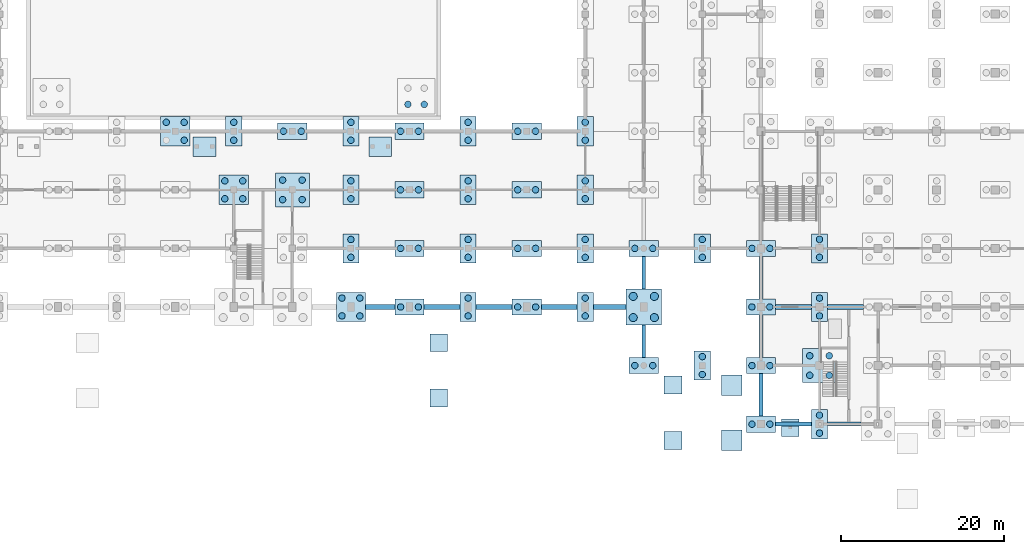
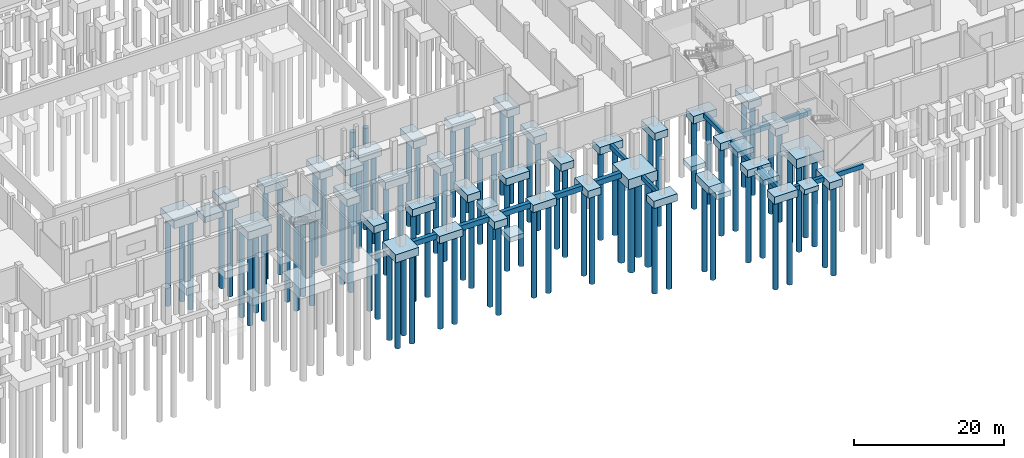
# One storey, part 2 of 35: 89 piles, 61 footings.
"""IFC4 building model written with IfcOpenShell, lengths in metres."""

from ifc_helpers import new_model, si_unit, direction, frame, origin, origin_2d, place, context, subcontext, project, spatial, polyline, rectangle, circle, outline, extrude, material, material_profile, profile_set, type_object, element, save


model = new_model("IFC4")

# Units and contexts
model_context = context("Model", 3, precision=1e-05, world=origin(), true_north=direction((0.0, 1.0)))
body_context = subcontext(model_context, "Body", "Model", "MODEL_VIEW")
ifc_project = project(units=[si_unit("LENGTHUNIT", "METRE"), si_unit("AREAUNIT", "SQUARE_METRE"), si_unit("VOLUMEUNIT", "CUBIC_METRE"), si_unit("PLANEANGLEUNIT", "RADIAN"), si_unit("MASSUNIT", "GRAM", prefix="KILO")], contexts=[model_context])

# Site, building, storey
site_placement = place(None, origin())
site = spatial("IfcSite", under=ifc_project, at=site_placement, CompositionType="ELEMENT")
building_placement = place(site_placement, origin())
building = spatial("IfcBuilding", under=site, at=building_placement, Name="Vesperath Aquatics Centre", CompositionType="ELEMENT")
storey_placement = place(building_placement, frame((0.0, 0.0, -5.39990234375)))
storey = spatial("IfcBuildingStorey", under=building, at=storey_placement, Name="B1", CompositionType="ELEMENT", Elevation=-5.39990234375)

# Footings
ifc_material_1 = material(Name="Concrete C40", Category="concrete")
footing_type_1 = type_object("IfcFootingType", Name="FT-GB01", PredefinedType="FOOTING_BEAM", material=ifc_material_1)
footing_1_placement = place(storey_placement, frame((0.0, 0.0, -1.150146484375)))
element("IfcFooting", 1, at=footing_1_placement, inside=storey, type_object=footing_type_1, Name="Foundation Ground Beam GB01 15 B-C", PredefinedType="FOOTING_BEAM", context=body_context, shape_type="SweptSolid", body=[
    extrude(outline(polyline([(100.574951171875, 8.199951171875), (101.02490234375, 8.199951171875), (101.02490234375, 12.199951171875), (100.574951171875, 12.199951171875), (100.574951171875, 8.199951171875)])), origin(), (0.0, 0.0, 1.0), 0.699951171875),
])
footing_2_placement = place(storey_placement, frame((0.0, 0.0, -1.150146484375)))
element("IfcFooting", 2, at=footing_2_placement, inside=storey, type_object=footing_type_1, Name="Foundation Ground Beam GB01 15 C-D", PredefinedType="FOOTING_BEAM", context=body_context, shape_type="SweptSolid", body=[
    extrude(outline(polyline([(100.574951171875, 16.60009765625), (101.02490234375, 16.60009765625), (101.02490234375, 20.60009765625), (100.574951171875, 20.60009765625), (100.574951171875, 16.60009765625)])), origin(), (0.0, 0.0, 1.0), 0.699951171875),
])
footing_type_2 = type_object("IfcFootingType", Name="FT-GB02", PredefinedType="FOOTING_BEAM", material=ifc_material_1)
footing_3_placement = place(storey_placement, frame((0.0, 0.0, -1.2001953125)))
element("IfcFooting", 3, at=footing_3_placement, inside=storey, type_object=footing_type_2, Name="Foundation Ground Beam GB02 A 17-18", PredefinedType="FOOTING_BEAM", context=body_context, shape_type="SweptSolid", body=[
    extrude(outline(polyline([(117.0, -0.25), (121.39990234375, -0.25), (121.39990234375, 0.25), (117.0, 0.25), (117.0, -0.25)])), origin(), (0.0, 0.0, 1.0), 0.75),
])
footing_4_placement = place(storey_placement, frame((0.0, 0.0, -1.2001953125)))
element("IfcFooting", 4, at=footing_4_placement, inside=storey, type_object=footing_type_2, Name="Foundation Ground Beam GB02 17 A-B", PredefinedType="FOOTING_BEAM", context=body_context, shape_type="SweptSolid", body=[
    extrude(outline(polyline([(114.949951171875, 1.0), (115.449951171875, 1.0), (115.449951171875, 6.199951171875), (114.949951171875, 6.199951171875), (114.949951171875, 1.0)])), origin(), (0.0, 0.0, 1.0), 0.75),
])
footing_5_placement = place(storey_placement, frame((0.0, 0.0, -1.2001953125)))
element("IfcFooting", 5, at=footing_5_placement, inside=storey, type_object=footing_type_2, Name="Foundation Ground Beam GB02 17 B-C", PredefinedType="FOOTING_BEAM", context=body_context, shape_type="SweptSolid", body=[
    extrude(outline(polyline([(114.949951171875, 8.199951171875), (115.449951171875, 8.199951171875), (115.449951171875, 13.39990234375), (114.949951171875, 13.39990234375), (114.949951171875, 8.199951171875)])), origin(), (0.0, 0.0, 1.0), 0.75),
])
footing_6_placement = place(storey_placement, frame((0.0, 0.0, -1.2001953125)))
element("IfcFooting", 6, at=footing_6_placement, inside=storey, type_object=footing_type_2, Name="Foundation Ground Beam GB02 17 C-D", PredefinedType="FOOTING_BEAM", context=body_context, shape_type="SweptSolid", body=[
    extrude(outline(polyline([(114.949951171875, 15.39990234375), (115.449951171875, 15.39990234375), (115.449951171875, 20.60009765625), (114.949951171875, 20.60009765625), (114.949951171875, 15.39990234375)])), origin(), (0.0, 0.0, 1.0), 0.75),
])
footing_7_placement = place(storey_placement, frame((0.0, 0.0, -1.2001953125)))
element("IfcFooting", 7, at=footing_7_placement, inside=storey, type_object=footing_type_2, Name="Foundation Ground Beam GB02 A 18-19", PredefinedType="FOOTING_BEAM", context=body_context, shape_type="SweptSolid", body=[
    extrude(outline(polyline([(123.39990234375, -0.25), (127.5, -0.25), (127.5, 0.25), (123.39990234375, 0.25), (123.39990234375, -0.25)])), origin(), (0.0, 0.0, 1.0), 0.75),
])
footing_type_3 = type_object("IfcFootingType", Name="FT-GB03", PredefinedType="FOOTING_BEAM", material=ifc_material_1)
footing_8_placement = place(storey_placement, frame((0.0, 0.0, -1.300048828125)))
element("IfcFooting", 8, at=footing_8_placement, inside=storey, type_object=footing_type_3, Name="Foundation Ground Beam GB03 C 10-11", PredefinedType="FOOTING_BEAM", context=body_context, shape_type="SweptSolid", body=[
    extrude(outline(polyline([(66.60009765625, 14.10009765625), (70.199951171875, 14.10009765625), (70.199951171875, 14.699951171875), (66.60009765625, 14.699951171875), (66.60009765625, 14.10009765625)])), origin(), (0.0, 0.0, 1.0), 0.849853515625),
])
footing_9_placement = place(storey_placement, frame((0.0, 0.0, -1.300048828125)))
element("IfcFooting", 9, at=footing_9_placement, inside=storey, type_object=footing_type_3, Name="Foundation Ground Beam GB03 C 11-12", PredefinedType="FOOTING_BEAM", context=body_context, shape_type="SweptSolid", body=[
    extrude(outline(polyline([(73.800048828125, 14.10009765625), (78.199951171875, 14.10009765625), (78.199951171875, 14.699951171875), (73.800048828125, 14.699951171875), (73.800048828125, 14.10009765625)])), origin(), (0.0, 0.0, 1.0), 0.849853515625),
])
footing_10_placement = place(storey_placement, frame((0.0, 0.0, -1.300048828125)))
element("IfcFooting", 10, at=footing_10_placement, inside=storey, type_object=footing_type_3, Name="Foundation Ground Beam GB03 C 12-13", PredefinedType="FOOTING_BEAM", context=body_context, shape_type="SweptSolid", body=[
    extrude(outline(polyline([(80.199951171875, 14.10009765625), (84.60009765625, 14.10009765625), (84.60009765625, 14.699951171875), (80.199951171875, 14.699951171875), (80.199951171875, 14.10009765625)])), origin(), (0.0, 0.0, 1.0), 0.849853515625),
])
footing_11_placement = place(storey_placement, frame((0.0, 0.0, -1.300048828125)))
element("IfcFooting", 11, at=footing_11_placement, inside=storey, type_object=footing_type_3, Name="Foundation Ground Beam GB03 C 13-14", PredefinedType="FOOTING_BEAM", context=body_context, shape_type="SweptSolid", body=[
    extrude(outline(polyline([(88.199951171875, 14.10009765625), (92.60009765625, 14.10009765625), (92.60009765625, 14.699951171875), (88.199951171875, 14.699951171875), (88.199951171875, 14.10009765625)])), origin(), (0.0, 0.0, 1.0), 0.849853515625),
])
footing_12_placement = place(storey_placement, frame((0.0, 0.0, -1.300048828125)))
element("IfcFooting", 12, at=footing_12_placement, inside=storey, type_object=footing_type_3, Name="Foundation Ground Beam GB03 C 14-15", PredefinedType="FOOTING_BEAM", context=body_context, shape_type="SweptSolid", body=[
    extrude(outline(polyline([(94.60009765625, 14.10009765625), (98.60009765625, 14.10009765625), (98.60009765625, 14.699951171875), (94.60009765625, 14.699951171875), (94.60009765625, 14.10009765625)])), origin(), (0.0, 0.0, 1.0), 0.849853515625),
])
footing_13_placement = place(storey_placement, frame((0.0, 0.0, -1.300048828125)))
element("IfcFooting", 13, at=footing_13_placement, inside=storey, type_object=footing_type_3, Name="Foundation Ground Beam GB03 C 17-18", PredefinedType="FOOTING_BEAM", context=body_context, shape_type="SweptSolid", body=[
    extrude(outline(polyline([(117.0, 14.10009765625), (121.39990234375, 14.10009765625), (121.39990234375, 14.699951171875), (117.0, 14.699951171875), (117.0, 14.10009765625)])), origin(), (0.0, 0.0, 1.0), 0.849853515625),
])
footing_14_placement = place(storey_placement, frame((0.0, 0.0, -1.300048828125)))
element("IfcFooting", 14, at=footing_14_placement, inside=storey, type_object=footing_type_3, Name="Foundation Ground Beam GB03 C 18-19", PredefinedType="FOOTING_BEAM", context=body_context, shape_type="SweptSolid", body=[
    extrude(outline(polyline([(123.39990234375, 14.10009765625), (127.800048828125, 14.10009765625), (127.800048828125, 14.699951171875), (123.39990234375, 14.699951171875), (123.39990234375, 14.10009765625)])), origin(), (0.0, 0.0, 1.0), 0.849853515625),
])
footing_type_4 = type_object("IfcFootingType", Name="FT-PC01", PredefinedType="PILE_CAP", material=ifc_material_1)
for number, where, z_axis, x_axis, name in (
    (15, (57.60009765625, 36.0, -1.64990234375), (0.0, 0.0, 1.0), (1.0, 0.0, 0.0), "Pile Cap PC01 at 9/F"),
    (16, (72.0, 14.39990234375, -1.64990234375), (0.0, 0.0, 1.0), (1.0, 0.0, 0.0), "Pile Cap PC01 at 11/C"),
    (17, (72.0, 21.60009765625, -1.64990234375), (0.0, 0.0, 1.0), (1.0, 0.0, 0.0), "Pile Cap PC01 at 11/D"),
    (18, (72.0, 28.800048828125, -1.64990234375), (0.0, 0.0, 1.0), (1.0, 0.0, 0.0), "Pile Cap PC01 at 11/E"),
    (19, (72.0, 36.0, -1.64990234375), (0.0, 0.0, 1.0), (1.0, 0.0, 0.0), "Pile Cap PC01 at 11/F"),
    (20, (86.39990234375, 14.39990234375, -1.64990234375), (0.0, 0.0, 1.0), (1.0, 0.0, 0.0), "Pile Cap PC01 at 13/C"),
    (21, (86.39990234375, 21.60009765625, -1.64990234375), (0.0, 0.0, 1.0), (1.0, 0.0, 0.0), "Pile Cap PC01 at 13/D"),
    (22, (86.39990234375, 28.800048828125, -1.64990234375), (0.0, 0.0, 1.0), (1.0, 0.0, 0.0), "Pile Cap PC01 at 13/E"),
    (23, (86.39990234375, 36.0, -1.64990234375), (0.0, 0.0, 1.0), (1.0, 0.0, 0.0), "Pile Cap PC01 at 13/F"),
    (24, (100.800048828125, 7.199951171875, -1.64990234375), (0.0, 0.0, 1.0), (1.0, 0.0, 0.0), "Pile Cap PC01 at 15/B"),
    (25, (100.800048828125, 21.60009765625, -1.64990234375), (0.0, 0.0, 1.0), (1.0, 0.0, 0.0), "Pile Cap PC01 at 15/D"),
    (26, (115.199951171875, 0.0, -1.64990234375), (0.0, 0.0, 1.0), (1.0, 0.0, 0.0), "Pile Cap PC01 at 17/A"),
    (27, (115.199951171875, 7.199951171875, -1.64990234375), (0.0, 0.0, 1.0), (1.0, 0.0, 0.0), "Pile Cap PC01 at 17/B"),
    (28, (115.199951171875, 14.39990234375, -1.64990234375), (0.0, 0.0, 1.0), (1.0, 0.0, 0.0), "Pile Cap PC01 at 17/C"),
    (29, (115.199951171875, 21.60009765625, -1.64990234375), (0.0, 0.0, 1.0), (1.0, 0.0, 0.0), "Pile Cap PC01 at 17/D"),
):
    element("IfcFooting", number, at=place(storey_placement, frame(where, z_axis=z_axis, x_axis=x_axis)), inside=storey, type_object=footing_type_4, Name=name, PredefinedType="PILE_CAP", context=body_context, shape_type="SweptSolid", body=[
        extrude(rectangle(XDim=3.60009765625, YDim=2.0, at=origin_2d()), origin(), (0.0, 0.0, 1.0), 1.199951171875),
    ])
footing_type_5 = type_object("IfcFootingType", Name="FT-PC02", PredefinedType="PILE_CAP", material=ifc_material_1)
for number, where, z_axis, x_axis, name in (
    (30, (50.39990234375, 36.0, -1.64990234375), (0.0, 0.0, 1.0), (1.0, 0.0, 0.0), "Pile Cap PC02 at 8/F"),
    (31, (64.800048828125, 21.60009765625, -1.64990234375), (0.0, 0.0, 1.0), (1.0, 0.0, 0.0), "Pile Cap PC02 at 10/D"),
    (32, (64.800048828125, 28.800048828125, -1.64990234375), (0.0, 0.0, 1.0), (1.0, 0.0, 0.0), "Pile Cap PC02 at 10/E"),
    (33, (64.800048828125, 36.0, -1.64990234375), (0.0, 0.0, 1.0), (1.0, 0.0, 0.0), "Pile Cap PC02 at 10/F"),
    (34, (79.199951171875, 14.39990234375, -1.64990234375), (0.0, 0.0, 1.0), (1.0, 0.0, 0.0), "Pile Cap PC02 at 12/C"),
    (35, (79.199951171875, 21.60009765625, -1.64990234375), (0.0, 0.0, 1.0), (1.0, 0.0, 0.0), "Pile Cap PC02 at 12/D"),
    (36, (79.199951171875, 28.800048828125, -1.64990234375), (0.0, 0.0, 1.0), (1.0, 0.0, 0.0), "Pile Cap PC02 at 12/E"),
    (37, (79.199951171875, 36.0, -1.64990234375), (0.0, 0.0, 1.0), (1.0, 0.0, 0.0), "Pile Cap PC02 at 12/F"),
    (38, (93.60009765625, 14.39990234375, -1.64990234375), (0.0, 0.0, 1.0), (1.0, 0.0, 0.0), "Pile Cap PC02 at 14/C"),
    (39, (93.60009765625, 21.60009765625, -1.64990234375), (0.0, 0.0, 1.0), (1.0, 0.0, 0.0), "Pile Cap PC02 at 14/D"),
    (40, (93.60009765625, 28.800048828125, -1.64990234375), (0.0, 0.0, 1.0), (1.0, 0.0, 0.0), "Pile Cap PC02 at 14/E"),
    (41, (93.60009765625, 36.0, -1.64990234375), (0.0, 0.0, 1.0), (1.0, 0.0, 0.0), "Pile Cap PC02 at 14/F"),
    (42, (108.0, 7.199951171875, -1.64990234375), (0.0, 0.0, 1.0), (1.0, 0.0, 0.0), "Pile Cap PC02 at 16/B"),
    (43, (108.0, 21.60009765625, -1.64990234375), (0.0, 0.0, 1.0), (1.0, 0.0, 0.0), "Pile Cap PC02 at 16/D"),
    (44, (122.39990234375, 0.0, -1.64990234375), (0.0, 0.0, 1.0), (1.0, 0.0, 0.0), "Pile Cap PC02 at 18/A"),
    (45, (122.39990234375, 14.39990234375, -1.64990234375), (0.0, 0.0, 1.0), (1.0, 0.0, 0.0), "Pile Cap PC02 at 18/C"),
    (46, (122.39990234375, 21.60009765625, -1.64990234375), (0.0, 0.0, 1.0), (1.0, 0.0, 0.0), "Pile Cap PC02 at 18/D"),
):
    element("IfcFooting", number, at=place(storey_placement, frame(where, z_axis=z_axis, x_axis=x_axis)), inside=storey, type_object=footing_type_5, Name=name, PredefinedType="PILE_CAP", context=body_context, shape_type="SweptSolid", body=[
        extrude(rectangle(XDim=2.0, YDim=3.60009765625, at=origin_2d()), origin(), (0.0, 0.0, 1.0), 1.199951171875),
    ])
footing_type_6 = type_object("IfcFootingType", Name="FT-PC03", PredefinedType="PILE_CAP", material=ifc_material_1)
for number, where, z_axis, x_axis, name in (
    (47, (43.199951171875, 36.0, -1.75), (0.0, 0.0, 1.0), (1.0, 0.0, 0.0), "Pile Cap PC03 at 7/F"),
    (48, (50.39990234375, 28.800048828125, -1.75), (0.0, 0.0, 1.0), (1.0, 0.0, 0.0), "Pile Cap PC03 at 8/E"),
    (49, (64.800048828125, 14.39990234375, -1.75), (0.0, 0.0, 1.0), (1.0, 0.0, 0.0), "Pile Cap PC03 at 10/C"),
):
    element("IfcFooting", number, at=place(storey_placement, frame(where, z_axis=z_axis, x_axis=x_axis)), inside=storey, type_object=footing_type_6, Name=name, PredefinedType="PILE_CAP", context=body_context, shape_type="SweptSolid", body=[
        extrude(rectangle(XDim=3.60009765625, YDim=3.60009765625, at=origin_2d()), origin(), (0.0, 0.0, 1.0), 1.300048828125),
    ])
footing_type_7 = type_object("IfcFootingType", Name="FT-PC06", PredefinedType="PILE_CAP", material=ifc_material_1)
for number, where, z_axis, x_axis, name in (
    (50, (57.60009765625, 28.800048828125, -1.9501953125), (0.0, 0.0, 1.0), (1.0, 0.0, 0.0), "Pile Cap PC06 at 9/E"),
    (51, (122.39990234375, 7.199951171875, -1.9501953125), (0.0, 0.0, 1.0), (1.0, 0.0, 0.0), "Pile Cap PC06 at 18/B"),
):
    element("IfcFooting", number, at=place(storey_placement, frame(where, z_axis=z_axis, x_axis=x_axis)), inside=storey, type_object=footing_type_7, Name=name, PredefinedType="PILE_CAP", context=body_context, shape_type="SweptSolid", body=[
        extrude(rectangle(XDim=4.199951171875, YDim=4.199951171875, at=origin_2d()), origin(), (0.0, 0.0, 1.0), 1.5),
    ])
footing_type_8 = type_object("IfcFootingType", Name="FT-PC07", PredefinedType="PILE_CAP", material=ifc_material_1)
footing_15_placement = place(storey_placement, frame((100.800048828125, 14.39990234375, -2.050048828125), z_axis=(0.0, 0.0, 1.0), x_axis=(1.0, 0.0, 0.0)))
element("IfcFooting", 52, at=footing_15_placement, inside=storey, type_object=footing_type_8, Name="Pile Cap PC07 at 15/C", PredefinedType="PILE_CAP", context=body_context, shape_type="SweptSolid", body=[
    extrude(rectangle(XDim=4.39990234375, YDim=4.39990234375, at=origin_2d()), origin(), (0.0, 0.0, 1.0), 1.60009765625),
])
footing_type_9 = type_object("IfcFootingType", Name="FT-PF01", PredefinedType="PAD_FOOTING", material=ifc_material_1)
for number, where, z_axis, x_axis, name in (
    (53, (104.39990234375, -2.0, 3.90966796875), (0.0, 0.0, 1.0), (1.0, 0.0, 0.0), "Forecourt Ramp Pad Footing PF01 PAD_RMP_1A"),
    (54, (104.39990234375, 4.800048828125, 4.35986328125), (0.0, 0.0, 1.0), (1.0, 0.0, 0.0), "Forecourt Ramp Pad Footing PF01 PAD_RMP_1B"),
    (55, (75.60009765625, 3.199951171875, 3.90966796875), (0.0, 0.0, 1.0), (1.0, 0.0, 0.0), "Forecourt Ramp Pad Footing PF01 PAD_RMP_4A"),
    (56, (75.60009765625, 10.0, 4.35986328125), (0.0, 0.0, 1.0), (1.0, 0.0, 0.0), "Forecourt Ramp Pad Footing PF01 PAD_RMP_4B"),
    (57, (118.800048828125, -0.449951171875, -1.25), (0.0, 0.0, 1.0), (1.0, 0.0, 0.0), "Plinth Pilaster Pad Footing PF01-01"),
):
    element("IfcFooting", number, at=place(storey_placement, frame(where, z_axis=z_axis, x_axis=x_axis)), inside=storey, type_object=footing_type_9, Name=name, PredefinedType="PAD_FOOTING", context=body_context, shape_type="SweptSolid", body=[
        extrude(rectangle(XDim=2.199951171875, YDim=2.199951171875, at=origin_2d()), origin(), (0.0, 0.0, 1.0), 0.800048828125),
    ])
footing_type_10 = type_object("IfcFootingType", Name="FT-PF02", PredefinedType="PAD_FOOTING", material=ifc_material_1)
for number, where, z_axis, x_axis, name in (
    (58, (111.60009765625, -2.0, 3.81005859375), (0.0, 0.0, 1.0), (1.0, 0.0, 0.0), "Forecourt Ramp Pad Footing PF02 PAD_RMP_2A"),
    (59, (111.60009765625, 4.800048828125, 4.260009765625), (0.0, 0.0, 1.0), (1.0, 0.0, 0.0), "Forecourt Ramp Pad Footing PF02 PAD_RMP_2B"),
):
    element("IfcFooting", number, at=place(storey_placement, frame(where, z_axis=z_axis, x_axis=x_axis)), inside=storey, type_object=footing_type_10, Name=name, PredefinedType="PAD_FOOTING", context=body_context, shape_type="SweptSolid", body=[
        extrude(rectangle(XDim=2.5, YDim=2.5, at=origin_2d()), origin(), (0.0, 0.0, 1.0), 0.89990234375),
    ])
footing_type_11 = type_object("IfcFootingType", Name="FT-PF03", PredefinedType="PAD_FOOTING", material=ifc_material_1)
for number, where, z_axis, x_axis, name in (
    (60, (46.800048828125, 34.1201171875, -1.39990234375), (0.0, 0.0, 1.0), (1.0, 0.0, 0.0), "Vomitory VOM-02 Portal Pad Footing PF03"),
    (61, (68.39990234375, 34.1201171875, -1.39990234375), (0.0, 0.0, 1.0), (1.0, 0.0, 0.0), "Vomitory VOM-03 Portal Pad Footing PF03"),
):
    element("IfcFooting", number, at=place(storey_placement, frame(where, z_axis=z_axis, x_axis=x_axis)), inside=storey, type_object=footing_type_11, Name=name, PredefinedType="PAD_FOOTING", context=body_context, shape_type="SweptSolid", body=[
        extrude(rectangle(XDim=2.800048828125, YDim=2.39990234375, at=origin_2d()), origin(), (0.0, 0.0, 1.0), 0.949951171875),
    ])

# Piles
ifc_material_2 = material(Name="Concrete C35", Category="concrete")
ifc_material_profile_1 = material_profile(ifc_material_2, circle(Radius=0.39990234375, at=origin_2d()), Name="PILE D800")
ifc_profile_set_1 = profile_set([ifc_material_profile_1], Name="Concrete C35")
pile_type_1 = type_object("IfcPileType", Name="PL-BP01", PredefinedType="BORED", material=ifc_profile_set_1)
for number, where, z_axis, x_axis, name in (
    (62, (44.300048828125, 34.89990234375, -1.60009765625), (0.0, 0.0, -1.0), (1.0, 0.0, 0.0), "Bored Pile BP01 CAP_06_05-2"),
    (63, (42.10009765625, 37.10009765625, -1.60009765625), (0.0, 0.0, -1.0), (1.0, 0.0, 0.0), "Bored Pile BP01 CAP_06_05-3"),
    (64, (44.300048828125, 37.10009765625, -1.60009765625), (0.0, 0.0, -1.0), (1.0, 0.0, 0.0), "Bored Pile BP01 CAP_06_05-4"),
    (65, (49.300048828125, 27.699951171875, -1.60009765625), (0.0, 0.0, -1.0), (1.0, 0.0, 0.0), "Bored Pile BP01 CAP_07_04-1"),
    (66, (51.5, 27.699951171875, -1.60009765625), (0.0, 0.0, -1.0), (1.0, 0.0, 0.0), "Bored Pile BP01 CAP_07_04-2"),
    (67, (49.300048828125, 29.89990234375, -1.60009765625), (0.0, 0.0, -1.0), (1.0, 0.0, 0.0), "Bored Pile BP01 CAP_07_04-3"),
    (68, (51.5, 29.89990234375, -1.60009765625), (0.0, 0.0, -1.0), (1.0, 0.0, 0.0), "Bored Pile BP01 CAP_07_04-4"),
):
    element("IfcPile", number, at=place(storey_placement, frame(where, z_axis=z_axis, x_axis=x_axis)), inside=storey, type_object=pile_type_1, Name=name, PredefinedType="BORED", context=body_context, shape_type="SweptSolid", body=[
        extrude(circle(Radius=0.39990234375, at=origin_2d()), origin(), (0.0, 0.0, 1.0), 14.5),
    ])
for number, where, z_axis, x_axis, name in (
    (69, (50.39990234375, 34.89990234375, -1.5), (0.0, 0.0, -1.0), (1.0, 0.0, 0.0), "Bored Pile BP01 CAP_07_05-1"),
    (70, (50.39990234375, 37.10009765625, -1.5), (0.0, 0.0, -1.0), (1.0, 0.0, 0.0), "Bored Pile BP01 CAP_07_05-2"),
):
    element("IfcPile", number, at=place(storey_placement, frame(where, z_axis=z_axis, x_axis=x_axis)), inside=storey, type_object=pile_type_1, Name=name, PredefinedType="BORED", context=body_context, shape_type="SweptSolid", body=[
        extrude(circle(Radius=0.39990234375, at=origin_2d()), origin(), (0.0, 0.0, 1.0), 14.60009765625),
    ])
for number, where, z_axis, x_axis, name in (
    (71, (56.39990234375, 27.60009765625, -1.800048828125), (0.0, 0.0, -1.0), (1.0, 0.0, 0.0), "Bored Pile BP01 CAP_08_04-1"),
    (72, (58.800048828125, 27.60009765625, -1.800048828125), (0.0, 0.0, -1.0), (1.0, 0.0, 0.0), "Bored Pile BP01 CAP_08_04-2"),
    (73, (56.39990234375, 30.0, -1.800048828125), (0.0, 0.0, -1.0), (1.0, 0.0, 0.0), "Bored Pile BP01 CAP_08_04-3"),
    (74, (58.800048828125, 30.0, -1.800048828125), (0.0, 0.0, -1.0), (1.0, 0.0, 0.0), "Bored Pile BP01 CAP_08_04-4"),
):
    element("IfcPile", number, at=place(storey_placement, frame(where, z_axis=z_axis, x_axis=x_axis)), inside=storey, type_object=pile_type_1, Name=name, PredefinedType="BORED", context=body_context, shape_type="SweptSolid", body=[
        extrude(circle(Radius=0.39990234375, at=origin_2d()), origin(), (0.0, 0.0, 1.0), 14.300048828125),
    ])
for number, where, z_axis, x_axis, name in (
    (75, (56.5, 36.0, -1.5), (0.0, 0.0, -1.0), (1.0, 0.0, 0.0), "Bored Pile BP01 CAP_08_05-1"),
    (76, (58.699951171875, 36.0, -1.5), (0.0, 0.0, -1.0), (1.0, 0.0, 0.0), "Bored Pile BP01 CAP_08_05-2"),
):
    element("IfcPile", number, at=place(storey_placement, frame(where, z_axis=z_axis, x_axis=x_axis)), inside=storey, type_object=pile_type_1, Name=name, PredefinedType="BORED", context=body_context, shape_type="SweptSolid", body=[
        extrude(circle(Radius=0.39990234375, at=origin_2d()), origin(), (0.0, 0.0, 1.0), 14.60009765625),
    ])
for number, where, z_axis, x_axis, name in (
    (77, (63.699951171875, 13.300048828125, -1.60009765625), (0.0, 0.0, -1.0), (1.0, 0.0, 0.0), "Bored Pile BP01 CAP_09_02-1"),
    (78, (65.89990234375, 13.300048828125, -1.60009765625), (0.0, 0.0, -1.0), (1.0, 0.0, 0.0), "Bored Pile BP01 CAP_09_02-2"),
    (79, (63.699951171875, 15.5, -1.60009765625), (0.0, 0.0, -1.0), (1.0, 0.0, 0.0), "Bored Pile BP01 CAP_09_02-3"),
    (80, (65.89990234375, 15.5, -1.60009765625), (0.0, 0.0, -1.0), (1.0, 0.0, 0.0), "Bored Pile BP01 CAP_09_02-4"),
):
    element("IfcPile", number, at=place(storey_placement, frame(where, z_axis=z_axis, x_axis=x_axis)), inside=storey, type_object=pile_type_1, Name=name, PredefinedType="BORED", context=body_context, shape_type="SweptSolid", body=[
        extrude(circle(Radius=0.39990234375, at=origin_2d()), origin(), (0.0, 0.0, 1.0), 14.5),
    ])
for number, where, z_axis, x_axis, name in (
    (81, (64.800048828125, 20.5, -1.5), (0.0, 0.0, -1.0), (1.0, 0.0, 0.0), "Bored Pile BP01 CAP_09_03-1"),
    (82, (64.800048828125, 22.699951171875, -1.5), (0.0, 0.0, -1.0), (1.0, 0.0, 0.0), "Bored Pile BP01 CAP_09_03-2"),
    (83, (64.800048828125, 27.699951171875, -1.5), (0.0, 0.0, -1.0), (1.0, 0.0, 0.0), "Bored Pile BP01 CAP_09_04-1"),
    (84, (64.800048828125, 29.89990234375, -1.5), (0.0, 0.0, -1.0), (1.0, 0.0, 0.0), "Bored Pile BP01 CAP_09_04-2"),
    (85, (64.800048828125, 34.89990234375, -1.5), (0.0, 0.0, -1.0), (1.0, 0.0, 0.0), "Bored Pile BP01 CAP_09_05-1"),
    (86, (64.800048828125, 37.10009765625, -1.5), (0.0, 0.0, -1.0), (1.0, 0.0, 0.0), "Bored Pile BP01 CAP_09_05-2"),
    (87, (70.89990234375, 14.39990234375, -1.5), (0.0, 0.0, -1.0), (1.0, 0.0, 0.0), "Bored Pile BP01 CAP_10_02-1"),
    (88, (73.10009765625, 14.39990234375, -1.5), (0.0, 0.0, -1.0), (1.0, 0.0, 0.0), "Bored Pile BP01 CAP_10_02-2"),
    (89, (70.89990234375, 21.60009765625, -1.5), (0.0, 0.0, -1.0), (1.0, 0.0, 0.0), "Bored Pile BP01 CAP_10_03-1"),
    (90, (73.10009765625, 21.60009765625, -1.5), (0.0, 0.0, -1.0), (1.0, 0.0, 0.0), "Bored Pile BP01 CAP_10_03-2"),
    (91, (70.89990234375, 28.800048828125, -1.5), (0.0, 0.0, -1.0), (1.0, 0.0, 0.0), "Bored Pile BP01 CAP_10_04-1"),
    (92, (73.10009765625, 28.800048828125, -1.5), (0.0, 0.0, -1.0), (1.0, 0.0, 0.0), "Bored Pile BP01 CAP_10_04-2"),
    (93, (70.89990234375, 36.0, -1.5), (0.0, 0.0, -1.0), (1.0, 0.0, 0.0), "Bored Pile BP01 CAP_10_05-1"),
    (94, (73.10009765625, 36.0, -1.5), (0.0, 0.0, -1.0), (1.0, 0.0, 0.0), "Bored Pile BP01 CAP_10_05-2"),
    (95, (79.199951171875, 13.300048828125, -1.5), (0.0, 0.0, -1.0), (1.0, 0.0, 0.0), "Bored Pile BP01 CAP_11_02-1"),
    (96, (79.199951171875, 15.5, -1.5), (0.0, 0.0, -1.0), (1.0, 0.0, 0.0), "Bored Pile BP01 CAP_11_02-2"),
    (97, (79.199951171875, 20.5, -1.5), (0.0, 0.0, -1.0), (1.0, 0.0, 0.0), "Bored Pile BP01 CAP_11_03-1"),
    (98, (79.199951171875, 22.699951171875, -1.5), (0.0, 0.0, -1.0), (1.0, 0.0, 0.0), "Bored Pile BP01 CAP_11_03-2"),
    (99, (79.199951171875, 27.699951171875, -1.5), (0.0, 0.0, -1.0), (1.0, 0.0, 0.0), "Bored Pile BP01 CAP_11_04-1"),
    (100, (79.199951171875, 29.89990234375, -1.5), (0.0, 0.0, -1.0), (1.0, 0.0, 0.0), "Bored Pile BP01 CAP_11_04-2"),
    (101, (79.199951171875, 34.89990234375, -1.5), (0.0, 0.0, -1.0), (1.0, 0.0, 0.0), "Bored Pile BP01 CAP_11_05-1"),
    (102, (79.199951171875, 37.10009765625, -1.5), (0.0, 0.0, -1.0), (1.0, 0.0, 0.0), "Bored Pile BP01 CAP_11_05-2"),
    (103, (85.300048828125, 14.39990234375, -1.5), (0.0, 0.0, -1.0), (1.0, 0.0, 0.0), "Bored Pile BP01 CAP_12_02-1"),
    (104, (87.5, 14.39990234375, -1.5), (0.0, 0.0, -1.0), (1.0, 0.0, 0.0), "Bored Pile BP01 CAP_12_02-2"),
    (105, (85.300048828125, 21.60009765625, -1.5), (0.0, 0.0, -1.0), (1.0, 0.0, 0.0), "Bored Pile BP01 CAP_12_03-1"),
    (106, (87.5, 21.60009765625, -1.5), (0.0, 0.0, -1.0), (1.0, 0.0, 0.0), "Bored Pile BP01 CAP_12_03-2"),
    (107, (85.300048828125, 28.800048828125, -1.5), (0.0, 0.0, -1.0), (1.0, 0.0, 0.0), "Bored Pile BP01 CAP_12_04-1"),
    (108, (87.5, 28.800048828125, -1.5), (0.0, 0.0, -1.0), (1.0, 0.0, 0.0), "Bored Pile BP01 CAP_12_04-2"),
    (109, (85.300048828125, 36.0, -1.5), (0.0, 0.0, -1.0), (1.0, 0.0, 0.0), "Bored Pile BP01 CAP_12_05-1"),
    (110, (87.5, 36.0, -1.5), (0.0, 0.0, -1.0), (1.0, 0.0, 0.0), "Bored Pile BP01 CAP_12_05-2"),
    (111, (93.60009765625, 13.300048828125, -1.5), (0.0, 0.0, -1.0), (1.0, 0.0, 0.0), "Bored Pile BP01 CAP_13_02-1"),
    (112, (93.60009765625, 15.5, -1.5), (0.0, 0.0, -1.0), (1.0, 0.0, 0.0), "Bored Pile BP01 CAP_13_02-2"),
    (113, (93.60009765625, 20.5, -1.5), (0.0, 0.0, -1.0), (1.0, 0.0, 0.0), "Bored Pile BP01 CAP_13_03-1"),
    (114, (93.60009765625, 22.699951171875, -1.5), (0.0, 0.0, -1.0), (1.0, 0.0, 0.0), "Bored Pile BP01 CAP_13_03-2"),
    (115, (93.60009765625, 27.699951171875, -1.5), (0.0, 0.0, -1.0), (1.0, 0.0, 0.0), "Bored Pile BP01 CAP_13_04-1"),
    (116, (93.60009765625, 29.89990234375, -1.5), (0.0, 0.0, -1.0), (1.0, 0.0, 0.0), "Bored Pile BP01 CAP_13_04-2"),
    (117, (93.60009765625, 34.89990234375, -1.5), (0.0, 0.0, -1.0), (1.0, 0.0, 0.0), "Bored Pile BP01 CAP_13_05-1"),
    (118, (93.60009765625, 37.10009765625, -1.5), (0.0, 0.0, -1.0), (1.0, 0.0, 0.0), "Bored Pile BP01 CAP_13_05-2"),
    (119, (99.699951171875, 7.199951171875, -1.5), (0.0, 0.0, -1.0), (1.0, 0.0, 0.0), "Bored Pile BP01 CAP_14_01-1"),
    (120, (101.89990234375, 7.199951171875, -1.5), (0.0, 0.0, -1.0), (1.0, 0.0, 0.0), "Bored Pile BP01 CAP_14_01-2"),
    (121, (99.699951171875, 21.60009765625, -1.5), (0.0, 0.0, -1.0), (1.0, 0.0, 0.0), "Bored Pile BP01 CAP_14_03-1"),
    (122, (101.89990234375, 21.60009765625, -1.5), (0.0, 0.0, -1.0), (1.0, 0.0, 0.0), "Bored Pile BP01 CAP_14_03-2"),
    (123, (108.0, 6.10009765625, -1.5), (0.0, 0.0, -1.0), (1.0, 0.0, 0.0), "Bored Pile BP01 CAP_15_01-1"),
    (124, (108.0, 8.300048828125, -1.5), (0.0, 0.0, -1.0), (1.0, 0.0, 0.0), "Bored Pile BP01 CAP_15_01-2"),
    (125, (108.0, 20.5, -1.5), (0.0, 0.0, -1.0), (1.0, 0.0, 0.0), "Bored Pile BP01 CAP_15_03-1"),
    (126, (108.0, 22.699951171875, -1.5), (0.0, 0.0, -1.0), (1.0, 0.0, 0.0), "Bored Pile BP01 CAP_15_03-2"),
    (127, (114.10009765625, 0.0, -1.5), (0.0, 0.0, -1.0), (1.0, 0.0, 0.0), "Bored Pile BP01 CAP_16_00-1"),
    (128, (116.300048828125, 0.0, -1.5), (0.0, 0.0, -1.0), (1.0, 0.0, 0.0), "Bored Pile BP01 CAP_16_00-2"),
    (129, (114.10009765625, 7.199951171875, -1.5), (0.0, 0.0, -1.0), (1.0, 0.0, 0.0), "Bored Pile BP01 CAP_16_01-1"),
    (130, (116.300048828125, 7.199951171875, -1.5), (0.0, 0.0, -1.0), (1.0, 0.0, 0.0), "Bored Pile BP01 CAP_16_01-2"),
    (131, (114.10009765625, 14.39990234375, -1.5), (0.0, 0.0, -1.0), (1.0, 0.0, 0.0), "Bored Pile BP01 CAP_16_02-1"),
    (132, (116.300048828125, 14.39990234375, -1.5), (0.0, 0.0, -1.0), (1.0, 0.0, 0.0), "Bored Pile BP01 CAP_16_02-2"),
    (133, (114.10009765625, 21.60009765625, -1.5), (0.0, 0.0, -1.0), (1.0, 0.0, 0.0), "Bored Pile BP01 CAP_16_03-1"),
    (134, (116.300048828125, 21.60009765625, -1.5), (0.0, 0.0, -1.0), (1.0, 0.0, 0.0), "Bored Pile BP01 CAP_16_03-2"),
    (135, (122.39990234375, -1.10009765625, -1.5), (0.0, 0.0, -1.0), (1.0, 0.0, 0.0), "Bored Pile BP01 CAP_17_00-1"),
    (136, (122.39990234375, 1.10009765625, -1.5), (0.0, 0.0, -1.0), (1.0, 0.0, 0.0), "Bored Pile BP01 CAP_17_00-2"),
):
    element("IfcPile", number, at=place(storey_placement, frame(where, z_axis=z_axis, x_axis=x_axis)), inside=storey, type_object=pile_type_1, Name=name, PredefinedType="BORED", context=body_context, shape_type="SweptSolid", body=[
        extrude(circle(Radius=0.39990234375, at=origin_2d()), origin(), (0.0, 0.0, 1.0), 14.60009765625),
    ])
for number, where, z_axis, x_axis, name in (
    (137, (121.199951171875, 6.0, -1.800048828125), (0.0, 0.0, -1.0), (1.0, 0.0, 0.0), "Bored Pile BP01 CAP_17_01-1"),
    (138, (123.60009765625, 6.0, -1.800048828125), (0.0, 0.0, -1.0), (1.0, 0.0, 0.0), "Bored Pile BP01 CAP_17_01-2"),
    (139, (121.199951171875, 8.39990234375, -1.800048828125), (0.0, 0.0, -1.0), (1.0, 0.0, 0.0), "Bored Pile BP01 CAP_17_01-3"),
    (140, (123.60009765625, 8.39990234375, -1.800048828125), (0.0, 0.0, -1.0), (1.0, 0.0, 0.0), "Bored Pile BP01 CAP_17_01-4"),
):
    element("IfcPile", number, at=place(storey_placement, frame(where, z_axis=z_axis, x_axis=x_axis)), inside=storey, type_object=pile_type_1, Name=name, PredefinedType="BORED", context=body_context, shape_type="SweptSolid", body=[
        extrude(circle(Radius=0.39990234375, at=origin_2d()), origin(), (0.0, 0.0, 1.0), 14.300048828125),
    ])
for number, where, z_axis, x_axis, name in (
    (141, (122.39990234375, 13.300048828125, -1.5), (0.0, 0.0, -1.0), (1.0, 0.0, 0.0), "Bored Pile BP01 CAP_17_02-1"),
    (142, (122.39990234375, 15.5, -1.5), (0.0, 0.0, -1.0), (1.0, 0.0, 0.0), "Bored Pile BP01 CAP_17_02-2"),
    (143, (122.39990234375, 20.5, -1.5), (0.0, 0.0, -1.0), (1.0, 0.0, 0.0), "Bored Pile BP01 CAP_17_03-1"),
    (144, (122.39990234375, 22.699951171875, -1.5), (0.0, 0.0, -1.0), (1.0, 0.0, 0.0), "Bored Pile BP01 CAP_17_03-2"),
):
    element("IfcPile", number, at=place(storey_placement, frame(where, z_axis=z_axis, x_axis=x_axis)), inside=storey, type_object=pile_type_1, Name=name, PredefinedType="BORED", context=body_context, shape_type="SweptSolid", body=[
        extrude(circle(Radius=0.39990234375, at=origin_2d()), origin(), (0.0, 0.0, 1.0), 14.60009765625),
    ])
for number, where, z_axis, x_axis, name in (
    (145, (71.81005859375, 39.300048828125, 0.449951171875), (0.0, 0.0, -1.0), (1.0, 0.0, 0.0), "Bored Pile BP01 CAP_POOL_COMP_03-1"),
    (146, (73.81005859375, 39.300048828125, 0.449951171875), (0.0, 0.0, -1.0), (1.0, 0.0, 0.0), "Bored Pile BP01 CAP_POOL_COMP_03-2"),
):
    element("IfcPile", number, at=place(storey_placement, frame(where, z_axis=z_axis, x_axis=x_axis)), inside=storey, type_object=pile_type_1, Name=name, PredefinedType="BORED", context=body_context, shape_type="SweptSolid", body=[
        extrude(circle(Radius=0.39990234375, at=origin_2d()), origin(), (0.0, 0.0, 1.0), 16.550048828125),
    ])
ifc_material_profile_2 = material_profile(ifc_material_2, circle(Radius=0.5, at=origin_2d()), Name="PILE D1000")
ifc_profile_set_2 = profile_set([ifc_material_profile_2], Name="Concrete C35")
pile_type_2 = type_object("IfcPileType", Name="PL-BP02", PredefinedType="BORED", material=ifc_profile_set_2)
for number, where, z_axis, x_axis, name in (
    (147, (99.5, 13.10009765625, -1.900146484375), (0.0, 0.0, -1.0), (1.0, 0.0, 0.0), "Bored Pile BP02 CAP_14_02-1"),
    (148, (102.10009765625, 13.10009765625, -1.900146484375), (0.0, 0.0, -1.0), (1.0, 0.0, 0.0), "Bored Pile BP02 CAP_14_02-2"),
    (149, (99.5, 15.699951171875, -1.900146484375), (0.0, 0.0, -1.0), (1.0, 0.0, 0.0), "Bored Pile BP02 CAP_14_02-3"),
    (150, (102.10009765625, 15.699951171875, -1.900146484375), (0.0, 0.0, -1.0), (1.0, 0.0, 0.0), "Bored Pile BP02 CAP_14_02-4"),
):
    element("IfcPile", number, at=place(storey_placement, frame(where, z_axis=z_axis, x_axis=x_axis)), inside=storey, type_object=pile_type_2, Name=name, PredefinedType="BORED", context=body_context, shape_type="SweptSolid", body=[
        extrude(circle(Radius=0.5, at=origin_2d()), origin(), (0.0, 0.0, 1.0), 14.199951171875),
    ])

save(model, "model.ifc")
